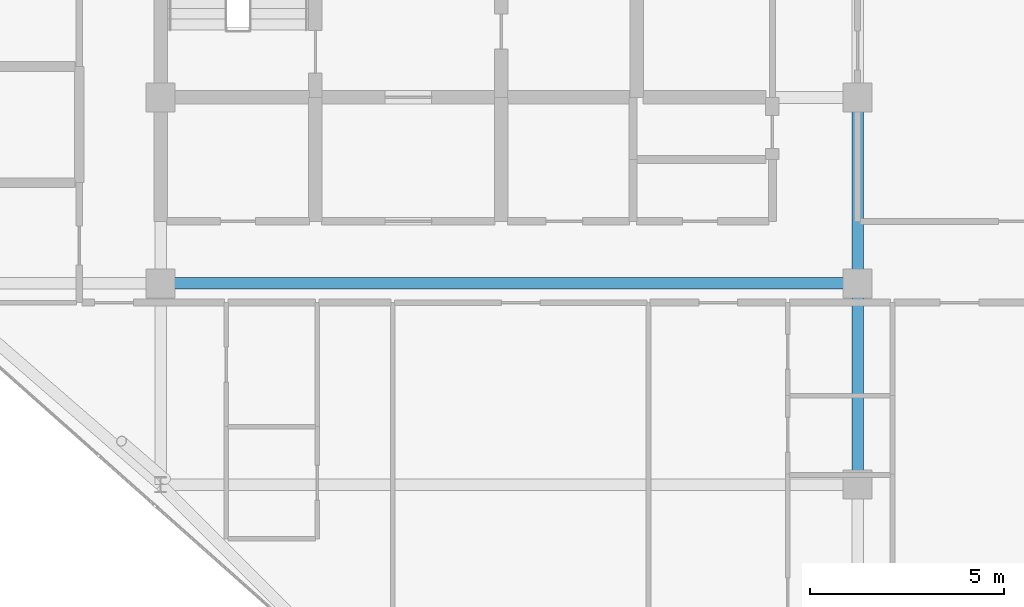
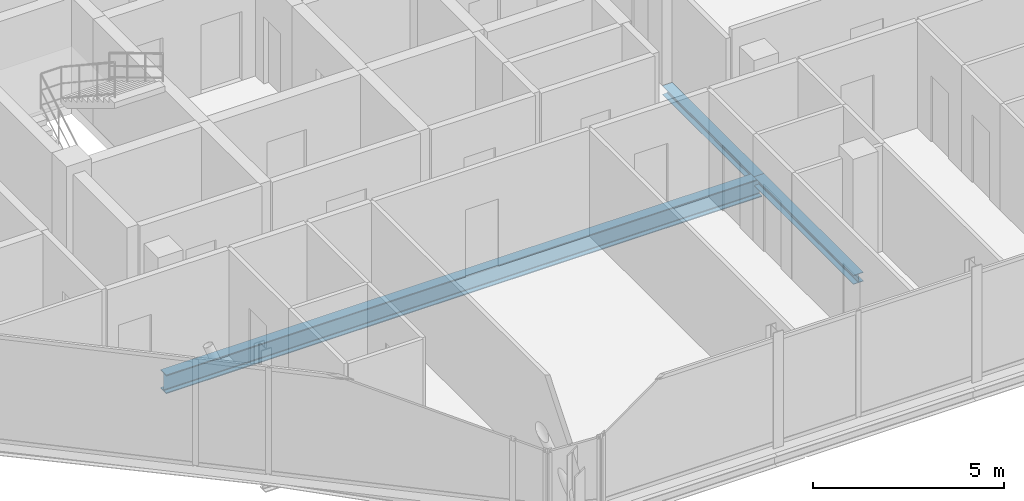
# One storey, part 9 of 31: 3 beams.
"""IFC4 building model written with IfcOpenShell, lengths in metres."""

from ifc_helpers import new_model, si_unit, direction, frame, origin, origin_2d, place, context, subcontext, project, spatial, i_section, extrude, material, material_profile, profile_set, type_object, element, save


model = new_model("IFC4")

# Units and contexts
model_context = context("Model", 3, precision=1e-05, world=origin(), true_north=direction((0.0, 1.0)))
body_context = subcontext(model_context, "Body", "Model", "MODEL_VIEW")
ifc_project = project(units=[si_unit("LENGTHUNIT", "METRE"), si_unit("AREAUNIT", "SQUARE_METRE"), si_unit("VOLUMEUNIT", "CUBIC_METRE"), si_unit("PLANEANGLEUNIT", "RADIAN"), si_unit("MASSUNIT", "GRAM", prefix="KILO")], contexts=[model_context])

# Site, building, storey
site_placement = place(None, origin())
site = spatial("IfcSite", under=ifc_project, at=site_placement, CompositionType="ELEMENT")
building_placement = place(site_placement, origin())
building = spatial("IfcBuilding", under=site, at=building_placement, Name="Keshet Zoharim Tower", CompositionType="ELEMENT")
storey_placement = place(building_placement, frame((0.0, 0.0, 276.89990234375)))
storey = spatial("IfcBuildingStorey", under=building, at=storey_placement, Name="L69", CompositionType="ELEMENT", Elevation=276.89990234375)

# Beams
ifc_material = material(Name="Steel S355", Category="steel")
ifc_material_profile_1 = material_profile(ifc_material, i_section(OverallWidth=0.300048828125, OverallDepth=0.60009765625, WebThickness=0.015380859375, FlangeThickness=0.030029296875, FilletRadius=0.027099609375, at=origin_2d()), Name="HEB600")
ifc_profile_set_1 = profile_set([ifc_material_profile_1], Name="Steel S355")
beam_type_1 = type_object("IfcBeamType", Name="BM-LNG-HB600", PredefinedType="BEAM", material=ifc_profile_set_1)
beam_1_placement = place(storey_placement, frame((15.0, 17.89990234375, -0.60986328125), z_axis=(1.0, 0.0, 0.0), x_axis=(0.0, 1.0, 0.0)))
element("IfcBeam", 1, at=beam_1_placement, inside=storey, type_object=beam_type_1, Name="L69 Primary Girder X-006", PredefinedType="BEAM", context=body_context, shape_type="SweptSolid", body=[
    extrude(i_section(OverallWidth=0.300048828125, OverallDepth=0.60009765625, WebThickness=0.015380859375, FlangeThickness=0.030029296875, FilletRadius=0.027099609375, at=origin_2d()), origin(), (0.0, 0.0, 1.0), 18.0),
])
ifc_material_profile_2 = material_profile(ifc_material, i_section(OverallWidth=0.300048828125, OverallDepth=0.2900390625, WebThickness=0.008544921875, FlangeThickness=0.013916015625, FilletRadius=0.027099609375, at=origin_2d()), Name="HEA300")
ifc_profile_set_2 = profile_set([ifc_material_profile_2], Name="Steel S355")
beam_type_2 = type_object("IfcBeamType", Name="BM-PRI-HA300", PredefinedType="BEAM", material=ifc_profile_set_2)
beam_2_placement = place(storey_placement, frame((33.0, 12.699951171875, -0.454833984375), z_axis=(0.0, 1.0, 0.0), x_axis=(-1.0, 0.0, 0.0)))
element("IfcBeam", 2, at=beam_2_placement, inside=storey, type_object=beam_type_2, Name="L69 Primary Girder Y-005", PredefinedType="BEAM", context=body_context, shape_type="SweptSolid", body=[
    extrude(i_section(OverallWidth=0.300048828125, OverallDepth=0.2900390625, WebThickness=0.008544921875, FlangeThickness=0.013916015625, FilletRadius=0.027099609375, at=origin_2d()), origin(), (0.0, 0.0, 1.0), 5.199951171875),
])
beam_3_placement = place(storey_placement, frame((33.0, 17.89990234375, -0.454833984375), z_axis=(0.0, 1.0, 0.0), x_axis=(-1.0, 0.0, 0.0)))
element("IfcBeam", 3, at=beam_3_placement, inside=storey, type_object=beam_type_2, Name="L69 Primary Girder Y-006", PredefinedType="BEAM", context=body_context, shape_type="SweptSolid", body=[
    extrude(i_section(OverallWidth=0.300048828125, OverallDepth=0.2900390625, WebThickness=0.008544921875, FlangeThickness=0.013916015625, FilletRadius=0.027099609375, at=origin_2d()), origin(), (0.0, 0.0, 1.0), 4.800048828125),
])

save(model, "model.ifc")
